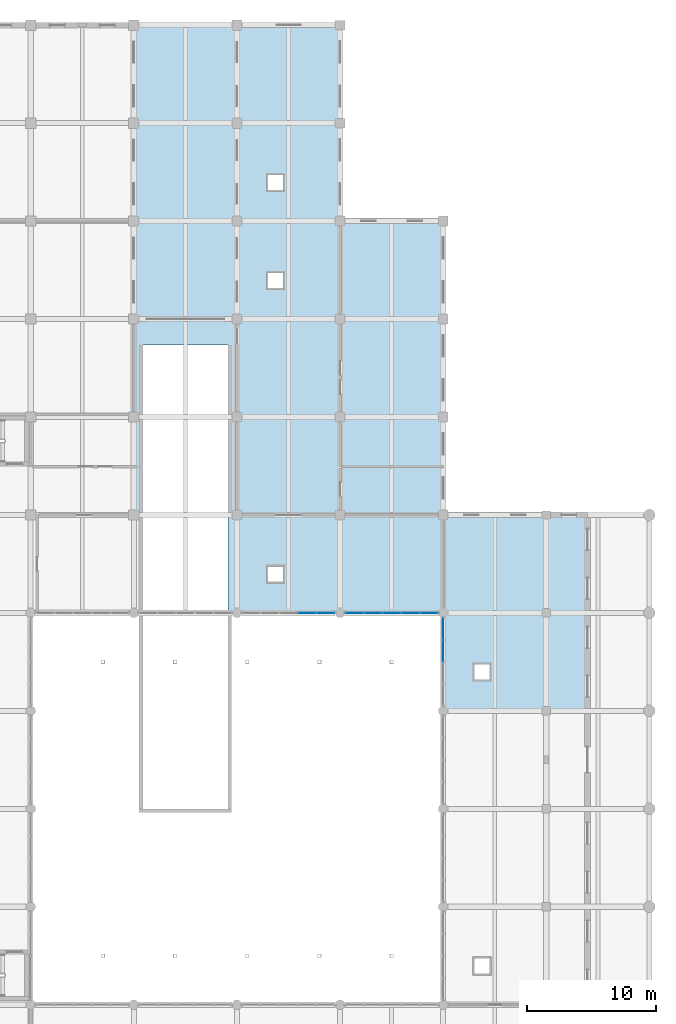
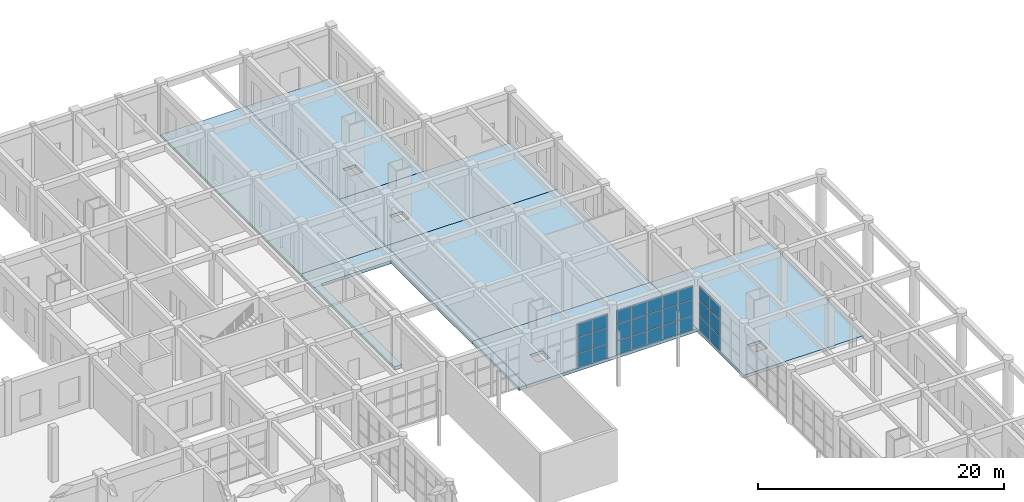
# One storey, part 66 of 95: 27 plates, 8 slabs, 3 elements without a shape of their own.
"""IFC4 building model written with IfcOpenShell, lengths in metres."""

import ifcopenshell
import ifcopenshell.guid

model = None  # the IFC model being written
_history = None  # IfcOwnerHistory: only IFC2X3 demands one
_inside = {}  # id of a spatial element -> (the spatial element, [elements in it])
_under = {}  # id of a project, library or spatial element -> (it, [spatial elements below it])
_declared = {}  # id of a project -> (the project, [libraries it declares])
_typed = {}  # id of a type object -> (the type object, [elements of that type])
_made_of = {}  # id of a material, layer set ... -> (it, [elements and type objects made of it])


def new_model(schema):
    """Start an empty IFC model of exactly this schema.

    Asked for "IFC4X3", IfcOpenShell would pick the latest addendum, in which some entities
    have other attributes; the version numbers below select the first issue.
    IFC2X3 requires an IfcOwnerHistory on every rooted entity: one is made here for all.
    """
    global model, _history
    if schema == "IFC4X3":
        model = ifcopenshell.file(schema_version=(4, 3, 0, 0))
    else:
        model = ifcopenshell.file(schema=schema)
    _inside.clear()
    _under.clear()
    _declared.clear()
    _typed.clear()
    _made_of.clear()
    _history = None
    if model.schema == "IFC2X3":
        org = make("IfcOrganization", Name="unknown")
        user = make(
            "IfcPersonAndOrganization",
            ThePerson=make("IfcPerson", FamilyName="unknown"),
            TheOrganization=org,
        )
        app = make(
            "IfcApplication",
            ApplicationDeveloper=org,
            Version="unknown",
            ApplicationFullName="unknown",
            ApplicationIdentifier="unknown",
        )
        _history = make(
            "IfcOwnerHistory",
            OwningUser=user,
            OwningApplication=app,
            ChangeAction="ADDED",
            CreationDate=0,
        )
    return model


def make(cls, **values):
    """One entity of the class cls with the attributes given. An attribute that is None is left unset."""
    return model.create_entity(
        cls, **{name: value for name, value in values.items() if value is not None}
    )


def rooted(cls, **values):
    """An entity with a GlobalId (a new one), such as an element, a storey or a relation."""
    return make(cls, GlobalId=ifcopenshell.guid.new(), OwnerHistory=_history, **values)


def si_unit(unit_type, name, prefix=None):
    """IfcSIUnit, for example si_unit("LENGTHUNIT", "METRE", prefix="MILLI")."""
    return make("IfcSIUnit", UnitType=unit_type, Prefix=prefix, Name=name)


def assignment(units):
    """IfcUnitAssignment: the units of a project."""
    return None if units is None else make("IfcUnitAssignment", Units=units)


def point(xyz):
    """IfcCartesianPoint."""
    return None if xyz is None else make("IfcCartesianPoint", Coordinates=xyz)


def direction(xyz):
    """IfcDirection."""
    return None if xyz is None else make("IfcDirection", DirectionRatios=xyz)


def frame(location, z_axis=None, x_axis=None):
    """IfcAxis2Placement3D, a coordinate frame: its origin and axes. An axis left out is left unset."""
    return make(
        "IfcAxis2Placement3D",
        Location=point(location),
        Axis=direction(z_axis),
        RefDirection=direction(x_axis),
    )


def frame_2d(location, x_axis=None):
    """IfcAxis2Placement2D, a coordinate frame in the plane: its origin and x axis."""
    return make(
        "IfcAxis2Placement2D", Location=point(location), RefDirection=direction(x_axis)
    )


def origin():
    """The frame at (0, 0, 0) with its axes left unset."""
    return frame((0.0, 0.0, 0.0))


def origin_2d():
    """The frame at (0, 0) in the plane with its x axis left unset."""
    return frame_2d((0.0, 0.0))


def place(relative_to, where):
    """IfcLocalPlacement: puts the frame where relative to a parent placement (None: the world)."""
    return make(
        "IfcLocalPlacement", PlacementRelTo=relative_to, RelativePlacement=where
    )


def context(
    kind, dimensions, precision=None, world=None, true_north=None, identifier=None
):
    """IfcGeometricRepresentationContext, for example the 3D "Model" context."""
    return make(
        "IfcGeometricRepresentationContext",
        ContextIdentifier=identifier,
        ContextType=kind,
        CoordinateSpaceDimension=dimensions,
        Precision=precision,
        WorldCoordinateSystem=world,
        TrueNorth=true_north,
    )


def subcontext(parent, identifier, kind, view, scale=None):
    """IfcGeometricRepresentationSubContext, for example "Body" below "Model"."""
    return make(
        "IfcGeometricRepresentationSubContext",
        ContextIdentifier=identifier,
        ContextType=kind,
        ParentContext=parent,
        TargetScale=scale,
        TargetView=view,
    )


def project(units=None, contexts=None):
    """IfcProject with its units and contexts."""
    return rooted(
        "IfcProject",
        Name="project",
        RepresentationContexts=contexts,
        UnitsInContext=assignment(units),
    )


def spatial(cls, under=None, at=None, **own):
    """A site, building, storey or space (cls), placed at a placement, below another one or the project."""
    s = rooted(cls, ObjectPlacement=at, **own)
    if under is not None:
        _under.setdefault(under.id(), (under, []))[1].append(s)
    return s


def polyline(points):
    """IfcPolyline through the points."""
    return make("IfcPolyline", Points=[point(p) for p in points])


def profile(cls, at=None, kind="AREA", **sizes):
    """A parametric profile (cls). Its sizes go by their IFC names, for example OverallWidth=200.0."""
    return make(cls, ProfileType=kind, Position=at, **sizes)


def rectangle(**sizes):
    """IfcRectangleProfileDef."""
    return profile("IfcRectangleProfileDef", **sizes)


def outline(outer, holes=None, kind="AREA"):
    """IfcArbitraryClosedProfileDef: a profile drawn as a closed curve; with holes, ...WithVoids."""
    if holes is None:
        return make("IfcArbitraryClosedProfileDef", ProfileType=kind, OuterCurve=outer)
    return make(
        "IfcArbitraryProfileDefWithVoids",
        ProfileType=kind,
        OuterCurve=outer,
        InnerCurves=holes,
    )


def extrude(swept, where, along, depth):
    """IfcExtrudedAreaSolid: the profile swept, set in the frame where, extruded along a direction by depth."""
    return make(
        "IfcExtrudedAreaSolid",
        SweptArea=swept,
        Position=where,
        ExtrudedDirection=direction(along),
        Depth=depth,
    )


def shape(context_of_items, identifier, shape_type, items):
    """IfcShapeRepresentation: the items that make up one representation, for example the "Body"."""
    return make(
        "IfcShapeRepresentation",
        ContextOfItems=context_of_items,
        RepresentationIdentifier=identifier,
        RepresentationType=shape_type,
        Items=items,
    )


def material(Name=None, Category=None):
    """IfcMaterial."""
    return make("IfcMaterial", Name=Name, Category=Category)


def layer(
    of_material, thickness, ventilated=None, Name=None, Category=None, Priority=None
):
    """IfcMaterialLayer: one layer of a wall or slab, of a material (None: an air gap)."""
    return make(
        "IfcMaterialLayer",
        Material=of_material,
        LayerThickness=thickness,
        IsVentilated=ventilated,
        Name=Name,
        Category=Category,
        Priority=Priority,
    )


def layer_set(layers, Name=None):
    """IfcMaterialLayerSet."""
    return make("IfcMaterialLayerSet", MaterialLayers=layers, LayerSetName=Name)


def made_of(thing, what):
    """Note that an element or type object is made of a material, layer set ...; save() writes the relation."""
    if what is not None:
        _made_of.setdefault(what.id(), (what, []))[1].append(thing)
    return thing


def type_object(cls, material=None, **own):
    """A type object (cls), such as IfcWallType, which elements share."""
    return made_of(rooted(cls, **own), material)


def element(
    cls,
    number,
    at=None,
    inside=None,
    cuts=None,
    type_object=None,
    material=None,
    context=None,
    identifier="Body",
    shape_type=None,
    held_by="IfcProductDefinitionShape",
    body=None,
    shapes=None,
    **own,
):
    """One element of the class cls, such as IfcWall. Its Tag is "e" and its number.

    at: its placement. inside: the storey or other place that contains it. cuts: it is an
    opening in that element (IfcRelVoidsElement). A single representation is given by context,
    identifier, shape_type and body (its items); several are given by shapes. held_by: the class
    of the entity that holds the representations. save() writes the other relations.
    """
    e = rooted(cls, Tag="e%d" % number, ObjectPlacement=at, **own)
    if body is not None:
        shapes = [shape(context, identifier, shape_type, body)]
    if shapes is not None:
        e.Representation = make(held_by, Representations=shapes)
    if inside is not None:
        _inside.setdefault(inside.id(), (inside, []))[1].append(e)
    if cuts is not None:
        rooted(
            "IfcRelVoidsElement", RelatingBuildingElement=cuts, RelatedOpeningElement=e
        )
    if type_object is not None:
        _typed.setdefault(type_object.id(), (type_object, []))[1].append(e)
    return made_of(e, material)


def aggregate(whole, parts):
    """IfcRelAggregates: a whole, such as a stair, and the parts it consists of."""
    return rooted("IfcRelAggregates", RelatingObject=whole, RelatedObjects=parts)


def save(model, path):
    """Write the relations noted so far, then the file.

    IfcRelAggregates (storeys below a building ...), IfcRelContainedInSpatialStructure (elements
    in a storey), IfcRelDefinesByType, IfcRelAssociatesMaterial and IfcRelDeclares: one each for
    every whole, place, type object, material and project.
    """
    for whole, parts in _under.values():
        aggregate(whole, parts)
    for where, things in _inside.values():
        rooted(
            "IfcRelContainedInSpatialStructure",
            RelatedElements=things,
            RelatingStructure=where,
        )
    for kind, things in _typed.values():
        rooted("IfcRelDefinesByType", RelatedObjects=things, RelatingType=kind)
    for what, things in _made_of.values():
        rooted("IfcRelAssociatesMaterial", RelatedObjects=things, RelatingMaterial=what)
    for by, libraries in _declared.values():
        rooted("IfcRelDeclares", RelatingContext=by, RelatedDefinitions=libraries)
    model.write(path)


model = new_model("IFC4")

# Units and contexts
model_context = context("Model", 3, precision=1e-05, world=origin(), true_north=direction((0.0, 1.0)))
body_context = subcontext(model_context, "Body", "Model", "MODEL_VIEW")
ifc_project = project(units=[si_unit("LENGTHUNIT", "METRE"), si_unit("AREAUNIT", "SQUARE_METRE"), si_unit("VOLUMEUNIT", "CUBIC_METRE"), si_unit("PLANEANGLEUNIT", "RADIAN"), si_unit("MASSUNIT", "GRAM", prefix="KILO")], contexts=[model_context])

# Site, building, storey
site_placement = place(None, origin())
site = spatial("IfcSite", under=ifc_project, at=site_placement, CompositionType="ELEMENT")
building_placement = place(site_placement, origin())
building = spatial("IfcBuilding", under=site, at=building_placement, Name="Zantavel Square City Hall", CompositionType="ELEMENT")
storey_placement = place(building_placement, origin())
storey = spatial("IfcBuildingStorey", under=building, at=storey_placement, Name="L01", CompositionType="ELEMENT", Elevation=0.0)

# Slabs
ifc_material_1 = material(Name="Concrete C35/45", Category="concrete")
ifc_layer_1 = layer(ifc_material_1, 0.199951171875, Name="Concrete C35/45")
ifc_layer_set_1 = layer_set([ifc_layer_1], Name="Concrete C35/45")
slab_type_1 = type_object("IfcSlabType", Name="Exterior Grade Apron Slab 200mm C35/45", PredefinedType="FLOOR", material=ifc_layer_set_1)
slab_1_placement = place(storey_placement, frame((0.0, 0.0, -0.199951171875)))
element("IfcSlab", 1, at=slab_1_placement, inside=storey, type_object=slab_type_1, Name="L01 Outdoor Terrace Slab SLB-L01-APRON-RMP", PredefinedType="FLOOR", context=body_context, shape_type="SweptSolid", body=[
    extrude(outline(polyline([(136.0, 91.199951171875), (128.0, 91.199951171875), (128.0, 98.800048828125), (128.0, 114.0), (136.0, 114.0), (136.0, 98.800048828125), (136.0, 91.199951171875)])), origin(), (0.0, 0.0, 1.0), 0.199951171875),
])
ifc_layer_2 = layer(ifc_material_1, 0.300048828125, Name="Concrete C35/45")
ifc_layer_set_2 = layer_set([ifc_layer_2], Name="Concrete C35/45")
slab_type_2 = type_object("IfcSlabType", Name="Ground Civic Floor Slab 300mm C35/45", PredefinedType="FLOOR", material=ifc_layer_set_2)
slab_2_placement = place(storey_placement, frame((0.0, 0.0, -0.300048828125)))
element("IfcSlab", 2, at=slab_2_placement, inside=storey, type_object=slab_type_2, Name="L01 Floor Slab SLB-L01-V2E-02", PredefinedType="FLOOR", context=body_context, shape_type="SweptSolid", body=[
    extrude(outline(polyline([(163.199951171875, 76.0), (163.199951171875, 60.800048828125), (152.0, 60.800048828125), (152.0, 76.0), (163.199951171875, 76.0)]), holes=[polyline([(155.60009765625, 64.39990234375), (154.39990234375, 64.39990234375), (154.39990234375, 63.199951171875), (155.60009765625, 63.199951171875), (155.60009765625, 64.39990234375)])]), origin(), (0.0, 0.0, 1.0), 0.300048828125),
])
slab_3_placement = place(storey_placement, frame((0.0, 0.0, -0.300048828125)))
element("IfcSlab", 3, at=slab_3_placement, inside=storey, type_object=slab_type_2, Name="L01 Floor Slab SLB-L01-V2N-01", PredefinedType="FLOOR", context=body_context, shape_type="SweptSolid", body=[
    extrude(outline(polyline([(136.0, 68.39990234375), (135.300048828125, 68.39990234375), (135.300048828125, 76.0), (136.0, 76.0), (136.0, 68.39990234375)])), origin(), (0.0, 0.0, 1.0), 0.300048828125),
])
slab_4_placement = place(storey_placement, frame((0.0, 0.0, -0.300048828125)))
element("IfcSlab", 4, at=slab_4_placement, inside=storey, type_object=slab_type_2, Name="L01 Floor Slab SLB-L01-V2N-02", PredefinedType="FLOOR", context=body_context, shape_type="SweptSolid", body=[
    extrude(outline(polyline([(136.0, 68.39990234375), (136.0, 76.0), (152.0, 76.0), (152.0, 68.39990234375), (136.0, 68.39990234375)]), holes=[polyline([(139.60009765625, 72.0), (138.39990234375, 72.0), (138.39990234375, 70.800048828125), (139.60009765625, 70.800048828125), (139.60009765625, 72.0)])]), origin(), (0.0, 0.0, 1.0), 0.300048828125),
])
slab_5_placement = place(storey_placement, frame((0.0, 0.0, -0.300048828125)))
element("IfcSlab", 5, at=slab_5_placement, inside=storey, type_object=slab_type_2, Name="L01 Floor Slab SLB-L01-V4MR-01", PredefinedType="FLOOR", context=body_context, shape_type="SweptSolid", body=[
    extrude(outline(polyline([(136.0, 76.0), (135.300048828125, 76.0), (135.300048828125, 89.179931640625), (128.699951171875, 89.179931640625), (128.699951171875, 76.0), (128.0, 76.0), (128.0, 91.199951171875), (128.0, 91.199951171875), (136.0, 91.199951171875), (136.0, 76.0)])), origin(), (0.0, 0.0, 1.0), 0.300048828125),
])
slab_6_placement = place(storey_placement, frame((0.0, 0.0, -0.300048828125)))
element("IfcSlab", 6, at=slab_6_placement, inside=storey, type_object=slab_type_2, Name="L01 Floor Slab SLB-L01-V4ME-01", PredefinedType="FLOOR", context=body_context, shape_type="SweptSolid", body=[
    extrude(outline(polyline([(152.0, 91.199951171875), (152.0, 76.0), (136.0, 76.0), (136.0, 91.199951171875), (152.0, 91.199951171875)])), origin(), (0.0, 0.0, 1.0), 0.300048828125),
])
slab_7_placement = place(storey_placement, frame((0.0, 0.0, -0.300048828125)))
element("IfcSlab", 7, at=slab_7_placement, inside=storey, type_object=slab_type_2, Name="L01 Floor Slab SLB-L01-V4ME-02", PredefinedType="FLOOR", context=body_context, shape_type="SweptSolid", body=[
    extrude(outline(polyline([(152.0, 98.800048828125), (152.0, 91.199951171875), (136.0, 91.199951171875), (136.0, 91.199951171875), (136.0, 98.800048828125), (152.0, 98.800048828125)]), holes=[polyline([(139.60009765625, 94.800048828125), (138.39990234375, 94.800048828125), (138.39990234375, 93.60009765625), (139.60009765625, 93.60009765625), (139.60009765625, 94.800048828125)])]), origin(), (0.0, 0.0, 1.0), 0.300048828125),
])
slab_8_placement = place(storey_placement, frame((0.0, 0.0, -0.300048828125)))
element("IfcSlab", 8, at=slab_8_placement, inside=storey, type_object=slab_type_2, Name="L01 Floor Slab SLB-L01-V4NE-01", PredefinedType="FLOOR", context=body_context, shape_type="SweptSolid", body=[
    extrude(outline(polyline([(144.0, 114.0), (144.0, 98.800048828125), (136.0, 98.800048828125), (136.0, 114.0), (144.0, 114.0)]), holes=[polyline([(139.60009765625, 102.39990234375), (138.39990234375, 102.39990234375), (138.39990234375, 101.199951171875), (139.60009765625, 101.199951171875), (139.60009765625, 102.39990234375)])]), origin(), (0.0, 0.0, 1.0), 0.300048828125),
])

# Curtain wall, plates
ifc_material_2 = material(Name="Anodised aluminium 6063-T6", Category="aluminium")
curtain_wall_type_1 = type_object("IfcCurtainWallType", Name="Curtain Wall CRT 7250x4510", PredefinedType="USERDEFINED", material=ifc_material_2)
curtain_wall_1_placement = place(storey_placement, origin())
curtain_wall_1 = element("IfcCurtainWall", 9, at=curtain_wall_1_placement, inside=storey, type_object=curtain_wall_type_1, Name="L01 Glazed Curtain Wall CW-L01-035", ObjectType="GLAZED CURTAIN WALL", PredefinedType="USERDEFINED")
ifc_material_3 = material(Name="Tempered safety glass low-E double glazing", Category="glass")
ifc_layer_3 = layer(ifc_material_3, 0.028076171875, Name="Tempered safety glass low-E double glazing")
ifc_layer_set_3 = layer_set([ifc_layer_3], Name="Tempered safety glass low-E double glazing")
plate_type_1 = type_object("IfcPlateType", Name="Low-E Curtain Glazing Panel 1450x1503x28", PredefinedType="CURTAIN_PANEL", material=ifc_layer_set_3)
plate_1_placement = place(storey_placement, frame((150.885009765625, 68.39990234375, 0.06005859375), z_axis=(0.0, 0.0, 1.0), x_axis=(-1.0, 0.0, 0.0)))
plate_1 = element("IfcPlate", 10, at=plate_1_placement, type_object=plate_type_1, Name="CW-035 panel 1.1", PredefinedType="CURTAIN_PANEL", context=body_context, shape_type="SweptSolid", body=[
    extrude(rectangle(XDim=1.360107421875, YDim=0.028076171875, at=origin_2d()), origin(), (0.0, 0.0, 1.0), 1.35302734375),
])
plate_2_placement = place(storey_placement, frame((150.885009765625, 68.39990234375, 1.472900390625), z_axis=(0.0, 0.0, 1.0), x_axis=(-1.0, 0.0, 0.0)))
plate_2 = element("IfcPlate", 11, at=plate_2_placement, type_object=plate_type_1, Name="CW-035 panel 1.2", PredefinedType="CURTAIN_PANEL", context=body_context, shape_type="SweptSolid", body=[
    extrude(rectangle(XDim=1.360107421875, YDim=0.028076171875, at=origin_2d()), origin(), (0.0, 0.0, 1.0), 1.56396484375),
])
plate_3_placement = place(storey_placement, frame((150.885009765625, 68.39990234375, 3.096923828125), z_axis=(0.0, 0.0, 1.0), x_axis=(-1.0, 0.0, 0.0)))
plate_3 = element("IfcPlate", 12, at=plate_3_placement, type_object=plate_type_1, Name="CW-035 panel 1.3", PredefinedType="CURTAIN_PANEL", context=body_context, shape_type="SweptSolid", body=[
    extrude(rectangle(XDim=1.360107421875, YDim=0.028076171875, at=origin_2d()), origin(), (0.0, 0.0, 1.0), 1.35302734375),
])
plate_4_placement = place(storey_placement, frame((149.449951171875, 68.39990234375, 0.06005859375), z_axis=(0.0, 0.0, 1.0), x_axis=(-1.0, 0.0, 0.0)))
plate_4 = element("IfcPlate", 13, at=plate_4_placement, type_object=plate_type_1, Name="CW-035 panel 2.1", PredefinedType="CURTAIN_PANEL", context=body_context, shape_type="SweptSolid", body=[
    extrude(rectangle(XDim=1.389892578125, YDim=0.028076171875, at=origin_2d()), origin(), (0.0, 0.0, 1.0), 1.35302734375),
])
plate_5_placement = place(storey_placement, frame((149.449951171875, 68.39990234375, 1.472900390625), z_axis=(0.0, 0.0, 1.0), x_axis=(-1.0, 0.0, 0.0)))
plate_5 = element("IfcPlate", 14, at=plate_5_placement, type_object=plate_type_1, Name="CW-035 panel 2.2", PredefinedType="CURTAIN_PANEL", context=body_context, shape_type="SweptSolid", body=[
    extrude(rectangle(XDim=1.389892578125, YDim=0.028076171875, at=origin_2d()), origin(), (0.0, 0.0, 1.0), 1.56396484375),
])
plate_6_placement = place(storey_placement, frame((149.449951171875, 68.39990234375, 3.096923828125), z_axis=(0.0, 0.0, 1.0), x_axis=(-1.0, 0.0, 0.0)))
plate_6 = element("IfcPlate", 15, at=plate_6_placement, type_object=plate_type_1, Name="CW-035 panel 2.3", PredefinedType="CURTAIN_PANEL", context=body_context, shape_type="SweptSolid", body=[
    extrude(rectangle(XDim=1.389892578125, YDim=0.028076171875, at=origin_2d()), origin(), (0.0, 0.0, 1.0), 1.35302734375),
])
plate_7_placement = place(storey_placement, frame((148.0, 68.39990234375, 0.06005859375), z_axis=(0.0, 0.0, 1.0), x_axis=(-1.0, 0.0, 0.0)))
plate_7 = element("IfcPlate", 16, at=plate_7_placement, type_object=plate_type_1, Name="CW-035 panel 3.1", PredefinedType="CURTAIN_PANEL", context=body_context, shape_type="SweptSolid", body=[
    extrude(rectangle(XDim=1.389892578125, YDim=0.028076171875, at=origin_2d()), origin(), (0.0, 0.0, 1.0), 1.35302734375),
])
plate_8_placement = place(storey_placement, frame((148.0, 68.39990234375, 1.472900390625), z_axis=(0.0, 0.0, 1.0), x_axis=(-1.0, 0.0, 0.0)))
plate_8 = element("IfcPlate", 17, at=plate_8_placement, type_object=plate_type_1, Name="CW-035 panel 3.2", PredefinedType="CURTAIN_PANEL", context=body_context, shape_type="SweptSolid", body=[
    extrude(rectangle(XDim=1.389892578125, YDim=0.028076171875, at=origin_2d()), origin(), (0.0, 0.0, 1.0), 1.56396484375),
])
plate_9_placement = place(storey_placement, frame((148.0, 68.39990234375, 3.096923828125), z_axis=(0.0, 0.0, 1.0), x_axis=(-1.0, 0.0, 0.0)))
plate_9 = element("IfcPlate", 18, at=plate_9_placement, type_object=plate_type_1, Name="CW-035 panel 3.3", PredefinedType="CURTAIN_PANEL", context=body_context, shape_type="SweptSolid", body=[
    extrude(rectangle(XDim=1.389892578125, YDim=0.028076171875, at=origin_2d()), origin(), (0.0, 0.0, 1.0), 1.35302734375),
])
plate_10_placement = place(storey_placement, frame((146.550048828125, 68.39990234375, 0.06005859375), z_axis=(0.0, 0.0, 1.0), x_axis=(-1.0, 0.0, 0.0)))
plate_10 = element("IfcPlate", 19, at=plate_10_placement, type_object=plate_type_1, Name="CW-035 panel 4.1", PredefinedType="CURTAIN_PANEL", context=body_context, shape_type="SweptSolid", body=[
    extrude(rectangle(XDim=1.389892578125, YDim=0.028076171875, at=origin_2d()), origin(), (0.0, 0.0, 1.0), 1.35302734375),
])
plate_11_placement = place(storey_placement, frame((146.550048828125, 68.39990234375, 1.472900390625), z_axis=(0.0, 0.0, 1.0), x_axis=(-1.0, 0.0, 0.0)))
plate_11 = element("IfcPlate", 20, at=plate_11_placement, type_object=plate_type_1, Name="CW-035 panel 4.2", PredefinedType="CURTAIN_PANEL", context=body_context, shape_type="SweptSolid", body=[
    extrude(rectangle(XDim=1.389892578125, YDim=0.028076171875, at=origin_2d()), origin(), (0.0, 0.0, 1.0), 1.56396484375),
])
plate_12_placement = place(storey_placement, frame((146.550048828125, 68.39990234375, 3.096923828125), z_axis=(0.0, 0.0, 1.0), x_axis=(-1.0, 0.0, 0.0)))
plate_12 = element("IfcPlate", 21, at=plate_12_placement, type_object=plate_type_1, Name="CW-035 panel 4.3", PredefinedType="CURTAIN_PANEL", context=body_context, shape_type="SweptSolid", body=[
    extrude(rectangle(XDim=1.389892578125, YDim=0.028076171875, at=origin_2d()), origin(), (0.0, 0.0, 1.0), 1.35302734375),
])
plate_13_placement = place(storey_placement, frame((145.114990234375, 68.39990234375, 0.06005859375), z_axis=(0.0, 0.0, 1.0), x_axis=(-1.0, 0.0, 0.0)))
plate_13 = element("IfcPlate", 22, at=plate_13_placement, type_object=plate_type_1, Name="CW-035 panel 5.1", PredefinedType="CURTAIN_PANEL", context=body_context, shape_type="SweptSolid", body=[
    extrude(rectangle(XDim=1.360107421875, YDim=0.028076171875, at=origin_2d()), origin(), (0.0, 0.0, 1.0), 1.35302734375),
])
plate_14_placement = place(storey_placement, frame((145.114990234375, 68.39990234375, 1.472900390625), z_axis=(0.0, 0.0, 1.0), x_axis=(-1.0, 0.0, 0.0)))
plate_14 = element("IfcPlate", 23, at=plate_14_placement, type_object=plate_type_1, Name="CW-035 panel 5.2", PredefinedType="CURTAIN_PANEL", context=body_context, shape_type="SweptSolid", body=[
    extrude(rectangle(XDim=1.360107421875, YDim=0.028076171875, at=origin_2d()), origin(), (0.0, 0.0, 1.0), 1.56396484375),
])
plate_15_placement = place(storey_placement, frame((145.114990234375, 68.39990234375, 3.096923828125), z_axis=(0.0, 0.0, 1.0), x_axis=(-1.0, 0.0, 0.0)))
plate_15 = element("IfcPlate", 24, at=plate_15_placement, type_object=plate_type_1, Name="CW-035 panel 5.3", PredefinedType="CURTAIN_PANEL", context=body_context, shape_type="SweptSolid", body=[
    extrude(rectangle(XDim=1.360107421875, YDim=0.028076171875, at=origin_2d()), origin(), (0.0, 0.0, 1.0), 1.35302734375),
])
aggregate(curtain_wall_1, [plate_1, plate_2, plate_3, plate_4, plate_5, plate_6, plate_7, plate_8, plate_9, plate_10, plate_11, plate_12, plate_13, plate_14, plate_15])

curtain_wall_2_placement = place(storey_placement, origin())
curtain_wall_2 = element("IfcCurtainWall", 25, at=curtain_wall_2_placement, inside=storey, type_object=curtain_wall_type_1, Name="L01 Glazed Curtain Wall CW-L01-036", ObjectType="GLAZED CURTAIN WALL", PredefinedType="USERDEFINED")
plate_16_placement = place(storey_placement, frame((142.885009765625, 68.39990234375, 0.06005859375), z_axis=(0.0, 0.0, 1.0), x_axis=(-1.0, 0.0, 0.0)))
plate_16 = element("IfcPlate", 26, at=plate_16_placement, type_object=plate_type_1, Name="CW-036 panel 1.1", PredefinedType="CURTAIN_PANEL", context=body_context, shape_type="SweptSolid", body=[
    extrude(rectangle(XDim=1.360107421875, YDim=0.028076171875, at=origin_2d()), origin(), (0.0, 0.0, 1.0), 1.35302734375),
])
plate_17_placement = place(storey_placement, frame((142.885009765625, 68.39990234375, 1.472900390625), z_axis=(0.0, 0.0, 1.0), x_axis=(-1.0, 0.0, 0.0)))
plate_17 = element("IfcPlate", 27, at=plate_17_placement, type_object=plate_type_1, Name="CW-036 panel 1.2", PredefinedType="CURTAIN_PANEL", context=body_context, shape_type="SweptSolid", body=[
    extrude(rectangle(XDim=1.360107421875, YDim=0.028076171875, at=origin_2d()), origin(), (0.0, 0.0, 1.0), 1.56396484375),
])
plate_18_placement = place(storey_placement, frame((142.885009765625, 68.39990234375, 3.096923828125), z_axis=(0.0, 0.0, 1.0), x_axis=(-1.0, 0.0, 0.0)))
plate_18 = element("IfcPlate", 28, at=plate_18_placement, type_object=plate_type_1, Name="CW-036 panel 1.3", PredefinedType="CURTAIN_PANEL", context=body_context, shape_type="SweptSolid", body=[
    extrude(rectangle(XDim=1.360107421875, YDim=0.028076171875, at=origin_2d()), origin(), (0.0, 0.0, 1.0), 1.35302734375),
])
plate_19_placement = place(storey_placement, frame((141.449951171875, 68.39990234375, 0.06005859375), z_axis=(0.0, 0.0, 1.0), x_axis=(-1.0, 0.0, 0.0)))
plate_19 = element("IfcPlate", 29, at=plate_19_placement, type_object=plate_type_1, Name="CW-036 panel 2.1", PredefinedType="CURTAIN_PANEL", context=body_context, shape_type="SweptSolid", body=[
    extrude(rectangle(XDim=1.389892578125, YDim=0.028076171875, at=origin_2d()), origin(), (0.0, 0.0, 1.0), 1.35302734375),
])
plate_20_placement = place(storey_placement, frame((141.449951171875, 68.39990234375, 1.472900390625), z_axis=(0.0, 0.0, 1.0), x_axis=(-1.0, 0.0, 0.0)))
plate_20 = element("IfcPlate", 30, at=plate_20_placement, type_object=plate_type_1, Name="CW-036 panel 2.2", PredefinedType="CURTAIN_PANEL", context=body_context, shape_type="SweptSolid", body=[
    extrude(rectangle(XDim=1.389892578125, YDim=0.028076171875, at=origin_2d()), origin(), (0.0, 0.0, 1.0), 1.56396484375),
])
plate_21_placement = place(storey_placement, frame((141.449951171875, 68.39990234375, 3.096923828125), z_axis=(0.0, 0.0, 1.0), x_axis=(-1.0, 0.0, 0.0)))
plate_21 = element("IfcPlate", 31, at=plate_21_placement, type_object=plate_type_1, Name="CW-036 panel 2.3", PredefinedType="CURTAIN_PANEL", context=body_context, shape_type="SweptSolid", body=[
    extrude(rectangle(XDim=1.389892578125, YDim=0.028076171875, at=origin_2d()), origin(), (0.0, 0.0, 1.0), 1.35302734375),
])
aggregate(curtain_wall_2, [plate_16, plate_17, plate_18, plate_19, plate_20, plate_21])

curtain_wall_type_2 = type_object("IfcCurtainWallType", Name="Curtain Wall CRT 6850x4580", PredefinedType="USERDEFINED", material=ifc_material_2)
curtain_wall_3_placement = place(storey_placement, origin())
curtain_wall_3 = element("IfcCurtainWall", 32, at=curtain_wall_3_placement, inside=storey, type_object=curtain_wall_type_2, Name="L01 Glazed Curtain Wall CW-L01-034", ObjectType="GLAZED CURTAIN WALL", PredefinedType="USERDEFINED")
ifc_layer_4 = layer(ifc_material_3, 0.028076171875, Name="Tempered safety glass low-E double glazing")
ifc_layer_set_4 = layer_set([ifc_layer_4], Name="Tempered safety glass low-E double glazing")
plate_type_2 = type_object("IfcPlateType", Name="Low-E Curtain Glazing Panel 1713x1527x28", PredefinedType="CURTAIN_PANEL", material=ifc_layer_set_4)
plate_22_placement = place(storey_placement, frame((152.0, 65.456298828125, 0.06005859375), z_axis=(0.0, 0.0, 1.0), x_axis=(0.0, 1.0, 0.0)))
plate_22 = element("IfcPlate", 33, at=plate_22_placement, type_object=plate_type_2, Name="CW-034 panel 3.1", PredefinedType="CURTAIN_PANEL", context=body_context, shape_type="SweptSolid", body=[
    extrude(rectangle(XDim=1.652587890625, YDim=0.028076171875, at=origin_2d()), origin(), (0.0, 0.0, 1.0), 1.3759765625),
])
plate_23_placement = place(storey_placement, frame((152.0, 65.456298828125, 1.49609375), z_axis=(0.0, 0.0, 1.0), x_axis=(0.0, 1.0, 0.0)))
plate_23 = element("IfcPlate", 34, at=plate_23_placement, type_object=plate_type_2, Name="CW-034 panel 3.2", PredefinedType="CURTAIN_PANEL", context=body_context, shape_type="SweptSolid", body=[
    extrude(rectangle(XDim=1.652587890625, YDim=0.028076171875, at=origin_2d()), origin(), (0.0, 0.0, 1.0), 1.587890625),
])
plate_24_placement = place(storey_placement, frame((152.0, 65.456298828125, 3.14404296875), z_axis=(0.0, 0.0, 1.0), x_axis=(0.0, 1.0, 0.0)))
plate_24 = element("IfcPlate", 35, at=plate_24_placement, type_object=plate_type_2, Name="CW-034 panel 3.3", PredefinedType="CURTAIN_PANEL", context=body_context, shape_type="SweptSolid", body=[
    extrude(rectangle(XDim=1.652587890625, YDim=0.028076171875, at=origin_2d()), origin(), (0.0, 0.0, 1.0), 1.3759765625),
])
plate_25_placement = place(storey_placement, frame((152.0, 67.15380859375, 0.06005859375), z_axis=(0.0, 0.0, 1.0), x_axis=(0.0, 1.0, 0.0)))
plate_25 = element("IfcPlate", 36, at=plate_25_placement, type_object=plate_type_2, Name="CW-034 panel 4.1", PredefinedType="CURTAIN_PANEL", context=body_context, shape_type="SweptSolid", body=[
    extrude(rectangle(XDim=1.62255859375, YDim=0.028076171875, at=origin_2d()), origin(), (0.0, 0.0, 1.0), 1.3759765625),
])
plate_26_placement = place(storey_placement, frame((152.0, 67.15380859375, 1.49609375), z_axis=(0.0, 0.0, 1.0), x_axis=(0.0, 1.0, 0.0)))
plate_26 = element("IfcPlate", 37, at=plate_26_placement, type_object=plate_type_2, Name="CW-034 panel 4.2", PredefinedType="CURTAIN_PANEL", context=body_context, shape_type="SweptSolid", body=[
    extrude(rectangle(XDim=1.62255859375, YDim=0.028076171875, at=origin_2d()), origin(), (0.0, 0.0, 1.0), 1.587890625),
])
plate_27_placement = place(storey_placement, frame((152.0, 67.15380859375, 3.14404296875), z_axis=(0.0, 0.0, 1.0), x_axis=(0.0, 1.0, 0.0)))
plate_27 = element("IfcPlate", 38, at=plate_27_placement, type_object=plate_type_2, Name="CW-034 panel 4.3", PredefinedType="CURTAIN_PANEL", context=body_context, shape_type="SweptSolid", body=[
    extrude(rectangle(XDim=1.62255859375, YDim=0.028076171875, at=origin_2d()), origin(), (0.0, 0.0, 1.0), 1.3759765625),
])
aggregate(curtain_wall_3, [plate_22, plate_23, plate_24, plate_25, plate_26, plate_27])

save(model, "model.ifc")
